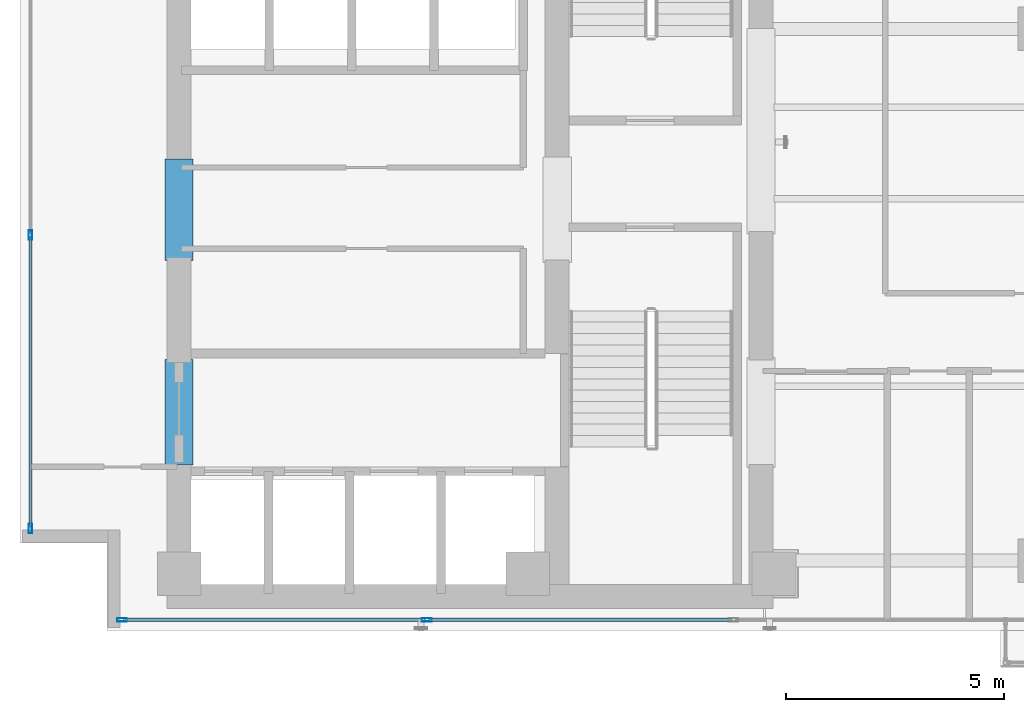
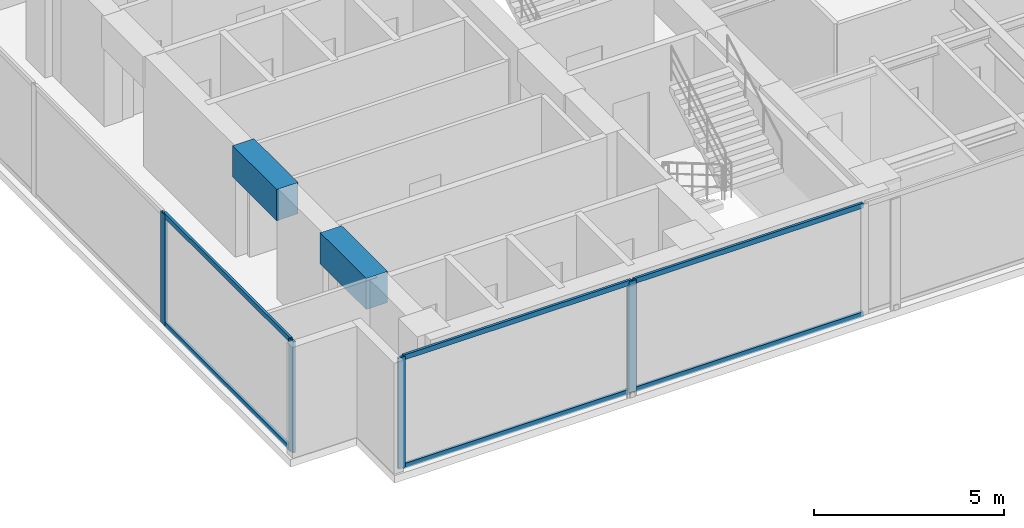
# One storey, part 2 of 22: 10 members, 2 beams, 2 elements without a shape of their own.
"""IFC4 building model written with IfcOpenShell, lengths in metres."""

from ifc_helpers import new_model, si_unit, direction, frame, origin, origin_with_axes, origin_2d, place, context, subcontext, project, spatial, rectangle, hollow_rectangle, extrude, source, transform, mapped, material, layer, layer_set, material_profile, profile_set, type_object, element, aggregate, save


model = new_model("IFC4")

# Units and contexts
model_context = context("Model", 3, precision=1e-05, world=origin(), true_north=direction((0.0, 1.0)))
body_context = subcontext(model_context, "Body", "Model", "MODEL_VIEW")
ifc_project = project(units=[si_unit("LENGTHUNIT", "METRE"), si_unit("AREAUNIT", "SQUARE_METRE"), si_unit("VOLUMEUNIT", "CUBIC_METRE"), si_unit("PLANEANGLEUNIT", "RADIAN"), si_unit("MASSUNIT", "GRAM", prefix="KILO")], contexts=[model_context])

# Site, building, storey
site_placement = place(None, origin())
site = spatial("IfcSite", under=ifc_project, at=site_placement, CompositionType="ELEMENT")
building_placement = place(site_placement, origin())
building = spatial("IfcBuilding", under=site, at=building_placement, Name="Kolvaren Waterfront Exchange", CompositionType="ELEMENT")
storey_placement = place(building_placement, frame((0.0, 0.0, 246.300048828125)))
storey = spatial("IfcBuildingStorey", under=building, at=storey_placement, Name="L63", CompositionType="ELEMENT", Elevation=246.300048828125)

# Beams
ifc_material_1 = material(Name="Concrete C60/75", Category="concrete")
ifc_material_profile_1 = material_profile(ifc_material_1, rectangle(XDim=0.64990234375, YDim=1.0, at=origin_2d()), Name="RC-CB-1000x650")
ifc_profile_set_1 = profile_set([ifc_material_profile_1], Name="Concrete C60/75")
beam_type = type_object("IfcBeamType", Name="STR-CB-1000", PredefinedType="SPANDREL", material=ifc_profile_set_1)
beam_1_placement = place(storey_placement, frame((7.449951171875, 7.389892578125, 3.06005859375), z_axis=(0.0, 1.0, 0.0), x_axis=(-1.0, 0.0, 0.0)))
element("IfcBeam", 1, at=beam_1_placement, inside=storey, type_object=beam_type, Name="L63 core coupling beam 3", PredefinedType="SPANDREL", context=body_context, shape_type="SweptSolid", body=[
    extrude(rectangle(XDim=0.64990234375, YDim=1.0, at=origin_2d()), origin(), (0.0, 0.0, 1.0), 2.420166015625),
])
beam_2_placement = place(storey_placement, frame((7.449951171875, 12.090087890625, 3.06005859375), z_axis=(0.0, 1.0, 0.0), x_axis=(-1.0, 0.0, 0.0)))
element("IfcBeam", 2, at=beam_2_placement, inside=storey, type_object=beam_type, Name="L63 core coupling beam 4", PredefinedType="SPANDREL", context=body_context, shape_type="SweptSolid", body=[
    extrude(rectangle(XDim=0.64990234375, YDim=1.0, at=origin_2d()), origin(), (0.0, 0.0, 1.0), 2.31982421875),
])

# Curtain wall, members
ifc_material_2 = material(Name="Anodised bronze aluminium 6063-T6", Category="aluminium")
ifc_layer_1 = layer(ifc_material_2, 0.219970703125, Name="Anodised bronze aluminium 6063-T6")
ifc_layer_set_1 = layer_set([ifc_layer_1], Name="Anodised bronze aluminium 6063-T6")
curtain_wall_type_1 = type_object("IfcCurtainWallType", Name="ARC-CW-SYS1", PredefinedType="USERDEFINED", material=ifc_layer_set_1)
curtain_wall_1_placement = place(storey_placement, origin())
curtain_wall_1 = element("IfcCurtainWall", 3, at=curtain_wall_1_placement, inside=storey, type_object=curtain_wall_type_1, Name="L63 stick curtain wall CW1 (CW-L63-S)", ObjectType="STICK CURTAIN WALL", PredefinedType="USERDEFINED")
ifc_material_3 = material(Name="Anodised aluminium 6063-T6", Category="aluminium")
ifc_material_profile_2 = material_profile(ifc_material_3, hollow_rectangle(XDim=0.080078125, YDim=0.219970703125, WallThickness=0.0048828125, at=origin_2d()), Name="ALU-MUL-220x80x5")
ifc_profile_set_2 = profile_set([ifc_material_profile_2], Name="Anodised aluminium 6063-T6")
member_type_1 = type_object("IfcMemberType", Name="ARC-CWM-220", PredefinedType="MULLION", material=ifc_profile_set_2)
shared_shape_1 = source(origin_with_axes(), body_context, "Body", "SweptSolid", [
    extrude(hollow_rectangle(XDim=0.080078125, YDim=0.219970703125, WallThickness=0.0048828125, at=origin_2d()), origin(), (0.0, 0.0, 1.0), 3.56005859375),
])
member_1_placement = place(storey_placement, frame((6.139892578125, 3.840087890625, 0.0), z_axis=(0.0, 0.0, 1.0), x_axis=(0.0, 1.0, 0.0)))
member_1 = element("IfcMember", 4, at=member_1_placement, type_object=member_type_1, Name="CW1 mullion 1", PredefinedType="MULLION", context=body_context, shape_type="MappedRepresentation", body=[
    mapped(shared_shape_1, transform((0.0, 0.0, 0.0), x_axis=(1.0, 0.0, 0.0), y_axis=(0.0, 1.0, 0.0), z_axis=(0.0, 0.0, 1.0), scale=1.0)),
])
member_2_placement = place(storey_placement, frame((13.13330078125, 3.840087890625, 0.0), z_axis=(0.0, 0.0, 1.0), x_axis=(0.0, 1.0, 0.0)))
member_2 = element("IfcMember", 5, at=member_2_placement, type_object=member_type_1, Name="CW1 mullion 2", PredefinedType="MULLION", context=body_context, shape_type="MappedRepresentation", body=[
    mapped(shared_shape_1, transform((0.0, 0.0, 0.0), x_axis=(1.0, 0.0, 0.0), y_axis=(0.0, 1.0, 0.0), z_axis=(0.0, 0.0, 1.0), scale=1.0)),
])

ifc_layer_2 = layer(ifc_material_3, 0.219970703125, Name="Anodised aluminium 6063-T6")
ifc_layer_set_2 = layer_set([ifc_layer_2], Name="Anodised aluminium 6063-T6")
curtain_wall_type_2 = type_object("IfcCurtainWallType", Name="ARC-CW-SYS2", PredefinedType="USERDEFINED", material=ifc_layer_set_2)
curtain_wall_2_placement = place(storey_placement, origin())
curtain_wall_2 = element("IfcCurtainWall", 6, at=curtain_wall_2_placement, inside=storey, type_object=curtain_wall_type_2, Name="L63 stick curtain wall CW2 (CW-L63-W)", ObjectType="STICK CURTAIN WALL", PredefinedType="USERDEFINED")
member_3_placement = place(storey_placement, frame((4.0400390625, 5.93994140625, 0.0), z_axis=(0.0, 0.0, 1.0), x_axis=(-1.0, 0.0, 0.0)))
member_3 = element("IfcMember", 7, at=member_3_placement, type_object=member_type_1, Name="CW2 mullion 1", PredefinedType="MULLION", context=body_context, shape_type="MappedRepresentation", body=[
    mapped(shared_shape_1, transform((0.0, 0.0, 0.0), x_axis=(1.0, 0.0, 0.0), y_axis=(0.0, 1.0, 0.0), z_axis=(0.0, 0.0, 1.0), scale=1.0)),
])
member_4_placement = place(storey_placement, frame((4.0400390625, 12.666748046875, 0.0), z_axis=(0.0, 0.0, 1.0), x_axis=(-1.0, 0.0, 0.0)))
member_4 = element("IfcMember", 8, at=member_4_placement, type_object=member_type_1, Name="CW2 mullion 2", PredefinedType="MULLION", context=body_context, shape_type="MappedRepresentation", body=[
    mapped(shared_shape_1, transform((0.0, 0.0, 0.0), x_axis=(1.0, 0.0, 0.0), y_axis=(0.0, 1.0, 0.0), z_axis=(0.0, 0.0, 1.0), scale=1.0)),
])
ifc_material_profile_3 = material_profile(ifc_material_3, hollow_rectangle(XDim=0.074951171875, YDim=0.159912109375, WallThickness=0.00439453125, at=origin_2d()), Name="ALU-TRN-160x75x4.5")
ifc_profile_set_3 = profile_set([ifc_material_profile_3], Name="Anodised aluminium 6063-T6")
member_type_2 = type_object("IfcMemberType", Name="ARC-CWT-160", PredefinedType="USERDEFINED", material=ifc_profile_set_3)
shared_shape_2 = source(origin_with_axes(), body_context, "Body", "SweptSolid", [
    extrude(hollow_rectangle(XDim=0.074951171875, YDim=0.159912109375, WallThickness=0.00439453125, at=origin_2d()), origin(), (0.0, 0.0, 1.0), 6.646728515625),
])
member_5_placement = place(storey_placement, frame((4.0400390625, 5.97998046875, 0.037353515625), z_axis=(0.0, 1.0, 0.0), x_axis=(-1.0, 0.0, 0.0)))
member_5 = element("IfcMember", 9, at=member_5_placement, type_object=member_type_2, Name="CW2 transom 1.1", ObjectType="TRANSOM", PredefinedType="USERDEFINED", context=body_context, shape_type="MappedRepresentation", body=[
    mapped(shared_shape_2, transform((0.0, 0.0, 0.0), x_axis=(1.0, 0.0, 0.0), y_axis=(0.0, 1.0, 0.0), z_axis=(0.0, 0.0, 1.0), scale=1.0)),
])
member_6_placement = place(storey_placement, frame((4.0400390625, 5.97998046875, 3.5224609375), z_axis=(0.0, 1.0, 0.0), x_axis=(-1.0, 0.0, 0.0)))
member_6 = element("IfcMember", 10, at=member_6_placement, type_object=member_type_2, Name="CW2 transom 1.2", ObjectType="TRANSOM", PredefinedType="USERDEFINED", context=body_context, shape_type="MappedRepresentation", body=[
    mapped(shared_shape_2, transform((0.0, 0.0, 0.0), x_axis=(1.0, 0.0, 0.0), y_axis=(0.0, 1.0, 0.0), z_axis=(0.0, 0.0, 1.0), scale=1.0)),
])
aggregate(curtain_wall_2, [member_3, member_4, member_5, member_6])

# Member
shared_shape_3 = source(origin_with_axes(), body_context, "Body", "SweptSolid", [
    extrude(hollow_rectangle(XDim=0.074951171875, YDim=0.159912109375, WallThickness=0.00439453125, at=origin_2d()), origin(), (0.0, 0.0, 1.0), 6.913330078125),
])
member_7_placement = place(storey_placement, frame((6.179931640625, 3.840087890625, 0.037353515625), z_axis=(1.0, 0.0, 0.0), x_axis=(0.0, 1.0, 0.0)))
member_7 = element("IfcMember", 11, at=member_7_placement, type_object=member_type_2, Name="CW1 transom 1.1", ObjectType="TRANSOM", PredefinedType="USERDEFINED", context=body_context, shape_type="MappedRepresentation", body=[
    mapped(shared_shape_3, transform((0.0, 0.0, 0.0), x_axis=(1.0, 0.0, 0.0), y_axis=(0.0, 1.0, 0.0), z_axis=(0.0, 0.0, 1.0), scale=1.0)),
])

member_8_placement = place(storey_placement, frame((6.179931640625, 3.840087890625, 3.5224609375), z_axis=(1.0, 0.0, 0.0), x_axis=(0.0, 1.0, 0.0)))
member_8 = element("IfcMember", 12, at=member_8_placement, type_object=member_type_2, Name="CW1 transom 1.2", ObjectType="TRANSOM", PredefinedType="USERDEFINED", context=body_context, shape_type="MappedRepresentation", body=[
    mapped(shared_shape_3, transform((0.0, 0.0, 0.0), x_axis=(1.0, 0.0, 0.0), y_axis=(0.0, 1.0, 0.0), z_axis=(0.0, 0.0, 1.0), scale=1.0)),
])

shared_shape_4 = source(origin_with_axes(), body_context, "Body", "SweptSolid", [
    extrude(hollow_rectangle(XDim=0.074951171875, YDim=0.159912109375, WallThickness=0.00439453125, at=origin_2d()), origin(), (0.0, 0.0, 1.0), 6.953369140625),
])
member_9_placement = place(storey_placement, frame((13.17333984375, 3.840087890625, 0.037353515625), z_axis=(1.0, 0.0, 0.0), x_axis=(0.0, 1.0, 0.0)))
member_9 = element("IfcMember", 13, at=member_9_placement, type_object=member_type_2, Name="CW1 transom 2.1", ObjectType="TRANSOM", PredefinedType="USERDEFINED", context=body_context, shape_type="MappedRepresentation", body=[
    mapped(shared_shape_4, transform((0.0, 0.0, 0.0), x_axis=(1.0, 0.0, 0.0), y_axis=(0.0, 1.0, 0.0), z_axis=(0.0, 0.0, 1.0), scale=1.0)),
])

member_10_placement = place(storey_placement, frame((13.17333984375, 3.840087890625, 3.5224609375), z_axis=(1.0, 0.0, 0.0), x_axis=(0.0, 1.0, 0.0)))
member_10 = element("IfcMember", 14, at=member_10_placement, type_object=member_type_2, Name="CW1 transom 2.2", ObjectType="TRANSOM", PredefinedType="USERDEFINED", context=body_context, shape_type="MappedRepresentation", body=[
    mapped(shared_shape_4, transform((0.0, 0.0, 0.0), x_axis=(1.0, 0.0, 0.0), y_axis=(0.0, 1.0, 0.0), z_axis=(0.0, 0.0, 1.0), scale=1.0)),
])

aggregate(curtain_wall_1, [member_1, member_2, member_7, member_8, member_9, member_10])

save(model, "model.ifc")
